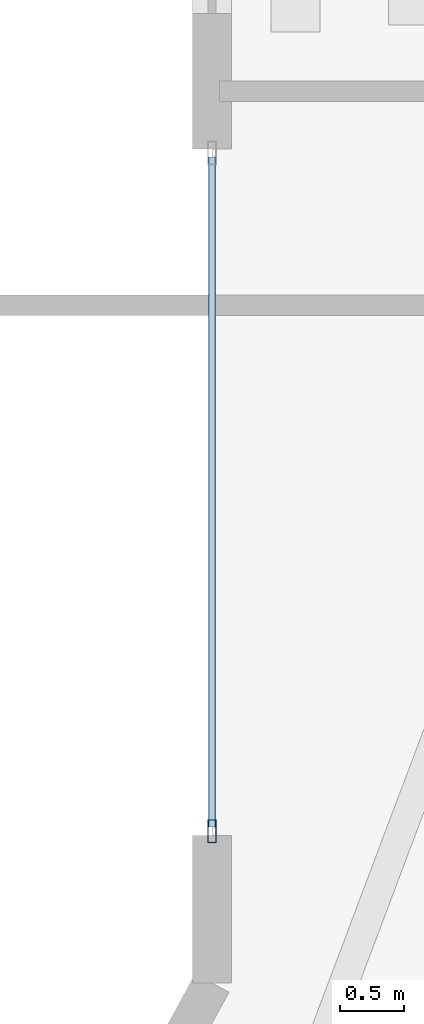
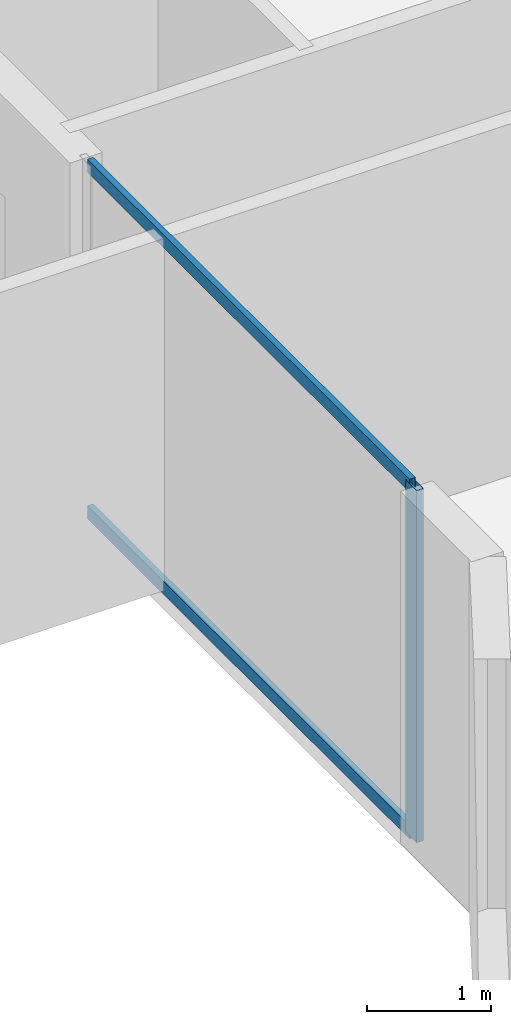
# One storey, part 6 of 24: 3 members, 1 element without a shape of its own.
"""IFC4 building model written with IfcOpenShell, lengths in metres."""

from ifc_helpers import new_model, si_unit, direction, frame, origin, origin_2d, place, context, subcontext, project, spatial, hollow_rectangle, extrude, material, layer, layer_set, material_profile, profile_set, type_object, element, aggregate, save


model = new_model("IFC4")

# Units and contexts
model_context = context("Model", 3, precision=1e-05, world=origin(), true_north=direction((0.0, 1.0)))
body_context = subcontext(model_context, "Body", "Model", "MODEL_VIEW")
ifc_project = project(units=[si_unit("LENGTHUNIT", "METRE"), si_unit("AREAUNIT", "SQUARE_METRE"), si_unit("VOLUMEUNIT", "CUBIC_METRE"), si_unit("PLANEANGLEUNIT", "RADIAN"), si_unit("MASSUNIT", "GRAM", prefix="KILO")], contexts=[model_context])

# Site, building, storey
site_placement = place(None, origin())
site = spatial("IfcSite", under=ifc_project, at=site_placement, CompositionType="ELEMENT")
building_placement = place(site_placement, origin())
building = spatial("IfcBuilding", under=site, at=building_placement, Name="Zuhayl Quay Hotel", CompositionType="ELEMENT")
storey_placement = place(building_placement, frame((0.0, 0.0, 280.35009765625)))
storey = spatial("IfcBuildingStorey", under=building, at=storey_placement, Name="L71", CompositionType="ELEMENT", Elevation=280.35009765625)

# Curtain wall, members
ifc_material_1 = material(Name="Anodised Aluminium 6063-T6", Category="aluminium")
ifc_layer = layer(ifc_material_1, 0.169921875, Name="Anodised Aluminium 6063-T6", Category="aluminium")
ifc_layer_set = layer_set([ifc_layer], Name="Anodised Aluminium 6063-T6")
curtain_wall_type = type_object("IfcCurtainWallType", Name="CW_SYS_Z4", PredefinedType="USERDEFINED", material=ifc_layer_set)
curtain_wall_placement = place(storey_placement, origin())
curtain_wall = element("IfcCurtainWall", 1, at=curtain_wall_placement, inside=storey, type_object=curtain_wall_type, Name="L71 Curtain Wall ENV_L71_E05_CW1", ObjectType="UNITISED CURTAIN WALL", PredefinedType="USERDEFINED")
ifc_material_2 = material(Name="Black-anodised aluminium 6063-T6", Category="aluminium")
ifc_material_profile_1 = material_profile(ifc_material_2, hollow_rectangle(XDim=0.06494140625, YDim=0.179931640625, WallThickness=0.00341796875, at=origin_2d()), Name="ALU180X65")
ifc_profile_set_1 = profile_set([ifc_material_profile_1], Name="Black-anodised aluminium 6063-T6")
member_type_1 = type_object("IfcMemberType", Name="MB_CW_MUL_180", PredefinedType="MULLION", material=ifc_profile_set_1)
member_1_placement = place(storey_placement, frame((-20.199951171875, 25.282470703125, 0.0), z_axis=(0.0, 0.0, 1.0), x_axis=(-1.0, 0.0, 0.0)))
member_1 = element("IfcMember", 2, at=member_1_placement, type_object=member_type_1, Name="CW-Z4 mullion 1", PredefinedType="MULLION", context=body_context, shape_type="SweptSolid", body=[
    extrude(hollow_rectangle(XDim=0.06494140625, YDim=0.179931640625, WallThickness=0.00341796875, at=origin_2d()), origin(), (0.0, 0.0, 1.0), 3.47998046875),
])
ifc_material_profile_2 = material_profile(ifc_material_2, hollow_rectangle(XDim=0.054931640625, YDim=0.1298828125, WallThickness=0.0029296875, at=origin_2d()), Name="ALU130X55")
ifc_profile_set_2 = profile_set([ifc_material_profile_2], Name="Black-anodised aluminium 6063-T6")
member_type_2 = type_object("IfcMemberType", Name="MB_CW_TRN_130", PredefinedType="USERDEFINED", material=ifc_profile_set_2)
member_2_placement = place(storey_placement, frame((-20.199951171875, 25.31494140625, 0.02734375), z_axis=(0.0, 1.0, 0.0), x_axis=(-1.0, 0.0, 0.0)))
member_2 = element("IfcMember", 3, at=member_2_placement, type_object=member_type_2, Name="CW-Z4 transom 1.1", ObjectType="TRANSOM", PredefinedType="USERDEFINED", context=body_context, shape_type="SweptSolid", body=[
    extrude(hollow_rectangle(XDim=0.054931640625, YDim=0.1298828125, WallThickness=0.0029296875, at=origin_2d()), origin(), (0.0, 0.0, 1.0), 5.219970703125),
])
member_3_placement = place(storey_placement, frame((-20.199951171875, 25.31494140625, 3.452392578125), z_axis=(0.0, 1.0, 0.0), x_axis=(-1.0, 0.0, 0.0)))
member_3 = element("IfcMember", 4, at=member_3_placement, type_object=member_type_2, Name="CW-Z4 transom 1.2", ObjectType="TRANSOM", PredefinedType="USERDEFINED", context=body_context, shape_type="SweptSolid", body=[
    extrude(hollow_rectangle(XDim=0.054931640625, YDim=0.1298828125, WallThickness=0.0029296875, at=origin_2d()), origin(), (0.0, 0.0, 1.0), 5.219970703125),
])
aggregate(curtain_wall, [member_1, member_2, member_3])

save(model, "model.ifc")
